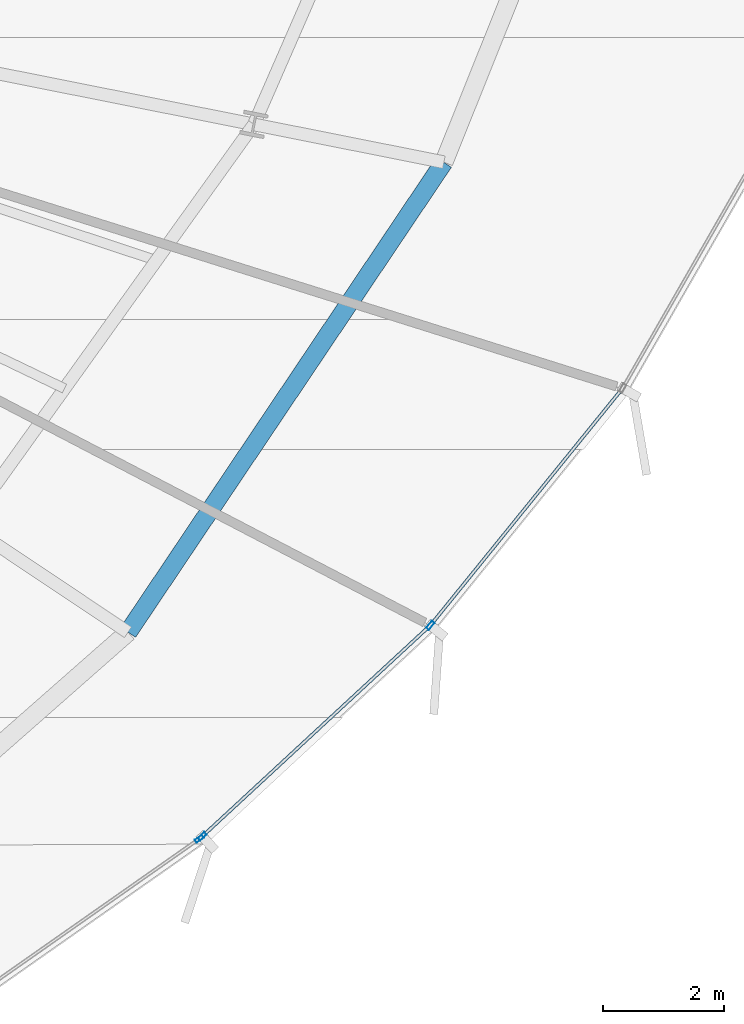
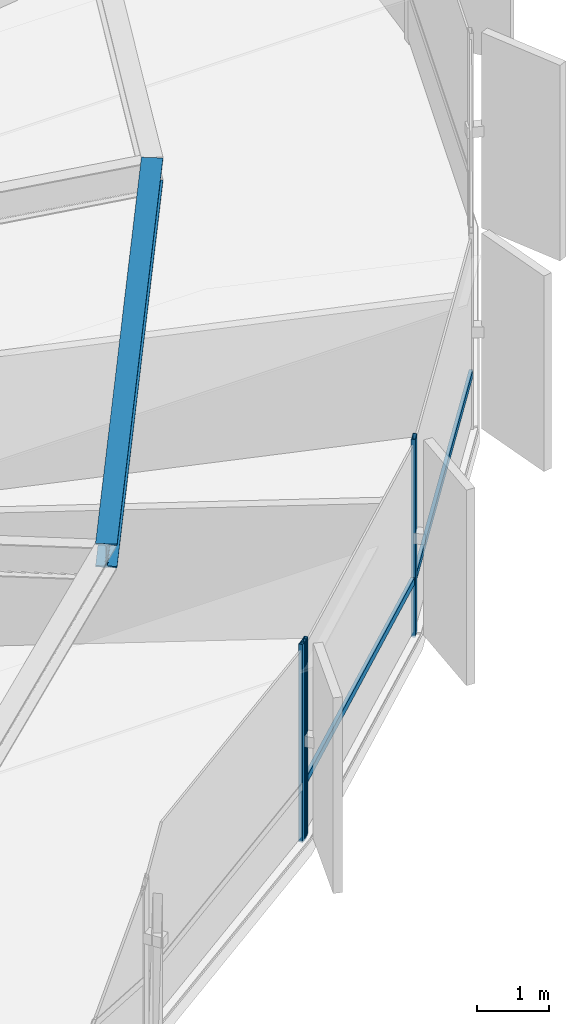
# One storey, part 13 of 35: 5 members, 1 beam, 2 elements without a shape of their own.
"""IFC4 building model written with IfcOpenShell, lengths in metres."""

import ifcopenshell
import ifcopenshell.guid

model = None  # the IFC model being written
_history = None  # IfcOwnerHistory: only IFC2X3 demands one
_inside = {}  # id of a spatial element -> (the spatial element, [elements in it])
_under = {}  # id of a project, library or spatial element -> (it, [spatial elements below it])
_declared = {}  # id of a project -> (the project, [libraries it declares])
_typed = {}  # id of a type object -> (the type object, [elements of that type])
_made_of = {}  # id of a material, layer set ... -> (it, [elements and type objects made of it])


def new_model(schema):
    """Start an empty IFC model of exactly this schema.

    Asked for "IFC4X3", IfcOpenShell would pick the latest addendum, in which some entities
    have other attributes; the version numbers below select the first issue.
    IFC2X3 requires an IfcOwnerHistory on every rooted entity: one is made here for all.
    """
    global model, _history
    if schema == "IFC4X3":
        model = ifcopenshell.file(schema_version=(4, 3, 0, 0))
    else:
        model = ifcopenshell.file(schema=schema)
    _inside.clear()
    _under.clear()
    _declared.clear()
    _typed.clear()
    _made_of.clear()
    _history = None
    if model.schema == "IFC2X3":
        org = make("IfcOrganization", Name="unknown")
        user = make(
            "IfcPersonAndOrganization",
            ThePerson=make("IfcPerson", FamilyName="unknown"),
            TheOrganization=org,
        )
        app = make(
            "IfcApplication",
            ApplicationDeveloper=org,
            Version="unknown",
            ApplicationFullName="unknown",
            ApplicationIdentifier="unknown",
        )
        _history = make(
            "IfcOwnerHistory",
            OwningUser=user,
            OwningApplication=app,
            ChangeAction="ADDED",
            CreationDate=0,
        )
    return model


def make(cls, **values):
    """One entity of the class cls with the attributes given. An attribute that is None is left unset."""
    return model.create_entity(
        cls, **{name: value for name, value in values.items() if value is not None}
    )


def rooted(cls, **values):
    """An entity with a GlobalId (a new one), such as an element, a storey or a relation."""
    return make(cls, GlobalId=ifcopenshell.guid.new(), OwnerHistory=_history, **values)


def si_unit(unit_type, name, prefix=None):
    """IfcSIUnit, for example si_unit("LENGTHUNIT", "METRE", prefix="MILLI")."""
    return make("IfcSIUnit", UnitType=unit_type, Prefix=prefix, Name=name)


def assignment(units):
    """IfcUnitAssignment: the units of a project."""
    return None if units is None else make("IfcUnitAssignment", Units=units)


def point(xyz):
    """IfcCartesianPoint."""
    return None if xyz is None else make("IfcCartesianPoint", Coordinates=xyz)


def direction(xyz):
    """IfcDirection."""
    return None if xyz is None else make("IfcDirection", DirectionRatios=xyz)


def frame(location, z_axis=None, x_axis=None):
    """IfcAxis2Placement3D, a coordinate frame: its origin and axes. An axis left out is left unset."""
    return make(
        "IfcAxis2Placement3D",
        Location=point(location),
        Axis=direction(z_axis),
        RefDirection=direction(x_axis),
    )


def frame_2d(location, x_axis=None):
    """IfcAxis2Placement2D, a coordinate frame in the plane: its origin and x axis."""
    return make(
        "IfcAxis2Placement2D", Location=point(location), RefDirection=direction(x_axis)
    )


def origin():
    """The frame at (0, 0, 0) with its axes left unset."""
    return frame((0.0, 0.0, 0.0))


def origin_2d():
    """The frame at (0, 0) in the plane with its x axis left unset."""
    return frame_2d((0.0, 0.0))


def place(relative_to, where):
    """IfcLocalPlacement: puts the frame where relative to a parent placement (None: the world)."""
    return make(
        "IfcLocalPlacement", PlacementRelTo=relative_to, RelativePlacement=where
    )


def context(
    kind, dimensions, precision=None, world=None, true_north=None, identifier=None
):
    """IfcGeometricRepresentationContext, for example the 3D "Model" context."""
    return make(
        "IfcGeometricRepresentationContext",
        ContextIdentifier=identifier,
        ContextType=kind,
        CoordinateSpaceDimension=dimensions,
        Precision=precision,
        WorldCoordinateSystem=world,
        TrueNorth=true_north,
    )


def subcontext(parent, identifier, kind, view, scale=None):
    """IfcGeometricRepresentationSubContext, for example "Body" below "Model"."""
    return make(
        "IfcGeometricRepresentationSubContext",
        ContextIdentifier=identifier,
        ContextType=kind,
        ParentContext=parent,
        TargetScale=scale,
        TargetView=view,
    )


def project(units=None, contexts=None):
    """IfcProject with its units and contexts."""
    return rooted(
        "IfcProject",
        Name="project",
        RepresentationContexts=contexts,
        UnitsInContext=assignment(units),
    )


def spatial(cls, under=None, at=None, **own):
    """A site, building, storey or space (cls), placed at a placement, below another one or the project."""
    s = rooted(cls, ObjectPlacement=at, **own)
    if under is not None:
        _under.setdefault(under.id(), (under, []))[1].append(s)
    return s


def profile(cls, at=None, kind="AREA", **sizes):
    """A parametric profile (cls). Its sizes go by their IFC names, for example OverallWidth=200.0."""
    return make(cls, ProfileType=kind, Position=at, **sizes)


def hollow_rectangle(**sizes):
    """IfcRectangleHollowProfileDef."""
    return profile("IfcRectangleHollowProfileDef", **sizes)


def i_section(**sizes):
    """IfcIShapeProfileDef."""
    return profile("IfcIShapeProfileDef", **sizes)


def extrude(swept, where, along, depth):
    """IfcExtrudedAreaSolid: the profile swept, set in the frame where, extruded along a direction by depth."""
    return make(
        "IfcExtrudedAreaSolid",
        SweptArea=swept,
        Position=where,
        ExtrudedDirection=direction(along),
        Depth=depth,
    )


def shape(context_of_items, identifier, shape_type, items):
    """IfcShapeRepresentation: the items that make up one representation, for example the "Body"."""
    return make(
        "IfcShapeRepresentation",
        ContextOfItems=context_of_items,
        RepresentationIdentifier=identifier,
        RepresentationType=shape_type,
        Items=items,
    )


def source(mapping_origin, context_of_items, identifier, shape_type, items):
    """IfcRepresentationMap: a shape defined once, which mapped items show again and again."""
    return make(
        "IfcRepresentationMap",
        MappingOrigin=mapping_origin,
        MappedRepresentation=shape(context_of_items, identifier, shape_type, items),
    )


def transform(
    local_origin,
    x_axis=None,
    y_axis=None,
    z_axis=None,
    scale=None,
    scale2=None,
    scale3=None,
    uniform=True,
):
    """IfcCartesianTransformationOperator3D, or its non-uniform kind. x_axis, y_axis, z_axis: its Axis1, 2, 3."""
    if uniform:
        return make(
            "IfcCartesianTransformationOperator3D",
            Axis1=direction(x_axis),
            Axis2=direction(y_axis),
            LocalOrigin=point(local_origin),
            Scale=scale,
            Axis3=direction(z_axis),
        )
    return make(
        "IfcCartesianTransformationOperator3DnonUniform",
        Axis1=direction(x_axis),
        Axis2=direction(y_axis),
        LocalOrigin=point(local_origin),
        Scale=scale,
        Axis3=direction(z_axis),
        Scale2=scale2,
        Scale3=scale3,
    )


def mapped(mapping_source, mapping_target):
    """IfcMappedItem: shows the shape of a source again, moved by a transform."""
    return make(
        "IfcMappedItem", MappingSource=mapping_source, MappingTarget=mapping_target
    )


def material(Name=None, Category=None):
    """IfcMaterial."""
    return make("IfcMaterial", Name=Name, Category=Category)


def layer(
    of_material, thickness, ventilated=None, Name=None, Category=None, Priority=None
):
    """IfcMaterialLayer: one layer of a wall or slab, of a material (None: an air gap)."""
    return make(
        "IfcMaterialLayer",
        Material=of_material,
        LayerThickness=thickness,
        IsVentilated=ventilated,
        Name=Name,
        Category=Category,
        Priority=Priority,
    )


def layer_set(layers, Name=None):
    """IfcMaterialLayerSet."""
    return make("IfcMaterialLayerSet", MaterialLayers=layers, LayerSetName=Name)


def material_profile(
    of_material, cross_section, Name=None, Category=None, Priority=None
):
    """IfcMaterialProfile: a cross section and its material."""
    return make(
        "IfcMaterialProfile",
        Name=Name,
        Material=of_material,
        Profile=cross_section,
        Priority=Priority,
        Category=Category,
    )


def profile_set(profiles, Name=None, composite=None):
    """IfcMaterialProfileSet."""
    return make(
        "IfcMaterialProfileSet",
        Name=Name,
        MaterialProfiles=profiles,
        CompositeProfile=composite,
    )


def made_of(thing, what):
    """Note that an element or type object is made of a material, layer set ...; save() writes the relation."""
    if what is not None:
        _made_of.setdefault(what.id(), (what, []))[1].append(thing)
    return thing


def type_object(cls, material=None, **own):
    """A type object (cls), such as IfcWallType, which elements share."""
    return made_of(rooted(cls, **own), material)


def element(
    cls,
    number,
    at=None,
    inside=None,
    cuts=None,
    type_object=None,
    material=None,
    context=None,
    identifier="Body",
    shape_type=None,
    held_by="IfcProductDefinitionShape",
    body=None,
    shapes=None,
    **own,
):
    """One element of the class cls, such as IfcWall. Its Tag is "e" and its number.

    at: its placement. inside: the storey or other place that contains it. cuts: it is an
    opening in that element (IfcRelVoidsElement). A single representation is given by context,
    identifier, shape_type and body (its items); several are given by shapes. held_by: the class
    of the entity that holds the representations. save() writes the other relations.
    """
    e = rooted(cls, Tag="e%d" % number, ObjectPlacement=at, **own)
    if body is not None:
        shapes = [shape(context, identifier, shape_type, body)]
    if shapes is not None:
        e.Representation = make(held_by, Representations=shapes)
    if inside is not None:
        _inside.setdefault(inside.id(), (inside, []))[1].append(e)
    if cuts is not None:
        rooted(
            "IfcRelVoidsElement", RelatingBuildingElement=cuts, RelatedOpeningElement=e
        )
    if type_object is not None:
        _typed.setdefault(type_object.id(), (type_object, []))[1].append(e)
    return made_of(e, material)


def aggregate(whole, parts):
    """IfcRelAggregates: a whole, such as a stair, and the parts it consists of."""
    return rooted("IfcRelAggregates", RelatingObject=whole, RelatedObjects=parts)


def save(model, path):
    """Write the relations noted so far, then the file.

    IfcRelAggregates (storeys below a building ...), IfcRelContainedInSpatialStructure (elements
    in a storey), IfcRelDefinesByType, IfcRelAssociatesMaterial and IfcRelDeclares: one each for
    every whole, place, type object, material and project.
    """
    for whole, parts in _under.values():
        aggregate(whole, parts)
    for where, things in _inside.values():
        rooted(
            "IfcRelContainedInSpatialStructure",
            RelatedElements=things,
            RelatingStructure=where,
        )
    for kind, things in _typed.values():
        rooted("IfcRelDefinesByType", RelatedObjects=things, RelatingType=kind)
    for what, things in _made_of.values():
        rooted("IfcRelAssociatesMaterial", RelatedObjects=things, RelatingMaterial=what)
    for by, libraries in _declared.values():
        rooted("IfcRelDeclares", RelatingContext=by, RelatedDefinitions=libraries)
    model.write(path)


model = new_model("IFC4")

# Units and contexts
model_context = context("Model", 3, precision=1e-05, world=origin(), true_north=direction((0.0, 1.0)))
body_context = subcontext(model_context, "Body", "Model", "MODEL_VIEW")
ifc_project = project(units=[si_unit("LENGTHUNIT", "METRE"), si_unit("AREAUNIT", "SQUARE_METRE"), si_unit("VOLUMEUNIT", "CUBIC_METRE"), si_unit("PLANEANGLEUNIT", "RADIAN"), si_unit("MASSUNIT", "GRAM", prefix="KILO"), si_unit("THERMODYNAMICTEMPERATUREUNIT", "KELVIN")], contexts=[model_context])

# Site, building, storey
site_placement = place(None, origin())
site = spatial("IfcSite", under=ifc_project, at=site_placement, CompositionType="ELEMENT")
building_placement = place(site_placement, origin())
building = spatial("IfcBuilding", under=site, at=building_placement, Name="Kethvar Cultural Tower", CompositionType="ELEMENT")
storey_placement = place(building_placement, frame((0.0, 0.0, 96.39990234375)))
storey = spatial("IfcBuildingStorey", under=building, at=storey_placement, Name="L23", CompositionType="ELEMENT", Elevation=96.39990234375)

# Beam
ifc_material_1 = material(Name="Steel S355J2", Category="steel")
ifc_material_profile_1 = material_profile(ifc_material_1, i_section(OverallWidth=0.300048828125, OverallDepth=0.39990234375, WebThickness=0.013427734375, FlangeThickness=0.02392578125, FilletRadius=0.027099609375, at=origin_2d()), Name="Steel S355J2 — HEB400")
ifc_profile_set_1 = profile_set([ifc_material_profile_1], Name="Steel S355J2 — HEB400")
beam_type = type_object("IfcBeamType", Name="BM-SP400", PredefinedType="SPANDREL", material=ifc_profile_set_1)
shared_shape_1 = source(origin(), body_context, "Body", "SweptSolid", [
    extrude(i_section(OverallWidth=0.300048828125, OverallDepth=0.39990234375, WebThickness=0.013427734375, FlangeThickness=0.02392578125, FilletRadius=0.027099609375, at=origin_2d()), origin(), (0.0, 0.0, 1.0), 9.355224609375),
])
beam_placement = place(storey_placement, frame((65.559326171875, 15.265380859375, 3.148193359375), z_axis=(0.557731714622, 0.830021285573, 0.0), x_axis=(-0.830021285573, 0.557731714622, 0.0)))
element("IfcBeam", 1, at=beam_placement, inside=storey, type_object=beam_type, Name="L23 Perimeter Spandrel Beam SP-15", PredefinedType="SPANDREL", context=body_context, shape_type="MappedRepresentation", body=[
    mapped(shared_shape_1, transform((0.0, 0.0, 0.0), scale=1.0)),
])

# Curtain wall, member
ifc_material_2 = material(Name="Aluminium 6063-T6", Category="aluminium")
ifc_layer = layer(ifc_material_2, 0.179931640625, Name="Aluminium 6063-T6", Category="aluminium")
ifc_layer_set = layer_set([ifc_layer], Name="Aluminium 6063-T6 (180 mm)")
curtain_wall_type = type_object("IfcCurtainWallType", Name="CW-SYS-03-Z2", PredefinedType="NOTDEFINED", material=ifc_layer_set)
curtain_wall_1_placement = place(storey_placement, origin())
curtain_wall_1 = element("IfcCurtainWall", 2, at=curtain_wall_1_placement, inside=storey, type_object=curtain_wall_type, Name="L23 Curtain Wall Run 05", PredefinedType="NOTDEFINED")
ifc_material_profile_2 = material_profile(ifc_material_2, hollow_rectangle(XDim=0.06005859375, YDim=0.14990234375, WallThickness=0.0048828125, at=origin_2d()), Name="Aluminium 6063-T6 — RHS150x60x5")
ifc_profile_set_2 = profile_set([ifc_material_profile_2], Name="Aluminium 6063-T6 — RHS150x60x5")
member_type_1 = type_object("IfcMemberType", Name="CW-SYS-03-Z2-MUL", PredefinedType="MULLION", material=ifc_profile_set_2)
shared_shape_2 = source(origin(), body_context, "Body", "SweptSolid", [
    extrude(hollow_rectangle(XDim=0.06005859375, YDim=0.14990234375, WallThickness=0.0048828125, at=origin_2d()), origin(), (0.0, 0.0, 1.0), 3.35009765625),
])
member_1_placement = place(storey_placement, frame((66.737060546875, 11.855224609375, 0.0), z_axis=(0.0, 0.0, 1.0), x_axis=(-0.574033847678, 0.818831571033, 0.0)))
member_1 = element("IfcMember", 3, at=member_1_placement, type_object=member_type_1, Name="CW-L23-R05 Mullion 7", PredefinedType="MULLION", context=body_context, shape_type="MappedRepresentation", body=[
    mapped(shared_shape_2, transform((0.0, 0.0, 0.0), scale=1.0)),
])
aggregate(curtain_wall_1, [member_1])

# Curtain wall, members
curtain_wall_2_placement = place(storey_placement, origin())
curtain_wall_2 = element("IfcCurtainWall", 4, at=curtain_wall_2_placement, inside=storey, type_object=curtain_wall_type, Name="L23 Curtain Wall Run 06", PredefinedType="NOTDEFINED")
member_2_placement = place(storey_placement, frame((66.785400390625, 11.894287109375, 0.0), z_axis=(0.0, 0.0, 1.0), x_axis=(-0.679159522139, 0.73399069714, 0.0)))
member_2 = element("IfcMember", 5, at=member_2_placement, type_object=member_type_1, Name="CW-L23-R06 Mullion 1", PredefinedType="MULLION", context=body_context, shape_type="MappedRepresentation", body=[
    mapped(shared_shape_2, transform((0.0, 0.0, 0.0), scale=1.0)),
])
member_3_placement = place(storey_placement, frame((70.5537109375, 15.379638671875, 0.0), z_axis=(0.0, 0.0, 1.0), x_axis=(-0.776882284177, 0.629645865969, 0.0)))
member_3 = element("IfcMember", 6, at=member_3_placement, type_object=member_type_1, Name="CW-L23-R06 Mullion 2", PredefinedType="MULLION", context=body_context, shape_type="MappedRepresentation", body=[
    mapped(shared_shape_2, transform((0.0, 0.0, 0.0), scale=1.0)),
])
ifc_material_profile_3 = material_profile(ifc_material_2, hollow_rectangle(XDim=0.054931640625, YDim=0.1201171875, WallThickness=0.00390625, at=origin_2d()), Name="Aluminium 6063-T6 — RHS120x55x4")
ifc_profile_set_3 = profile_set([ifc_material_profile_3], Name="Aluminium 6063-T6 — RHS120x55x4")
member_type_2 = type_object("IfcMemberType", Name="CW-SYS-03-Z2-TRN", PredefinedType="USERDEFINED", material=ifc_profile_set_3)
shared_shape_3 = source(origin(), body_context, "Body", "SweptSolid", [
    extrude(hollow_rectangle(XDim=0.054931640625, YDim=0.1201171875, WallThickness=0.00390625, at=origin_2d()), origin(), (0.0, 0.0, 1.0), 5.101806640625),
])
member_4_placement = place(storey_placement, frame((66.78857421875, 11.897216796875, 0.9501953125), z_axis=(0.733971807443, 0.679179936305, 0.0), x_axis=(-0.679179936305, 0.733971807443, 0.0)))
member_4 = element("IfcMember", 7, at=member_4_placement, type_object=member_type_2, Name="CW-L23-R06 Transom 1", ObjectType="TRANSOM", PredefinedType="USERDEFINED", context=body_context, shape_type="MappedRepresentation", body=[
    mapped(shared_shape_3, transform((0.0, 0.0, 0.0), scale=1.0)),
])
shared_shape_4 = source(origin(), body_context, "Body", "SweptSolid", [
    extrude(hollow_rectangle(XDim=0.054931640625, YDim=0.1201171875, WallThickness=0.00390625, at=origin_2d()), origin(), (0.0, 0.0, 1.0), 4.9736328125),
])
member_5_placement = place(storey_placement, frame((70.5810546875, 15.4130859375, 0.9501953125), z_axis=(0.629633050356, 0.776892670772, 0.0), x_axis=(-0.776892670772, 0.629633050356, 0.0)))
member_5 = element("IfcMember", 8, at=member_5_placement, type_object=member_type_2, Name="CW-L23-R06 Transom 2", ObjectType="TRANSOM", PredefinedType="USERDEFINED", context=body_context, shape_type="MappedRepresentation", body=[
    mapped(shared_shape_4, transform((0.0, 0.0, 0.0), scale=1.0)),
])
aggregate(curtain_wall_2, [member_2, member_3, member_4, member_5])

save(model, "model.ifc")
